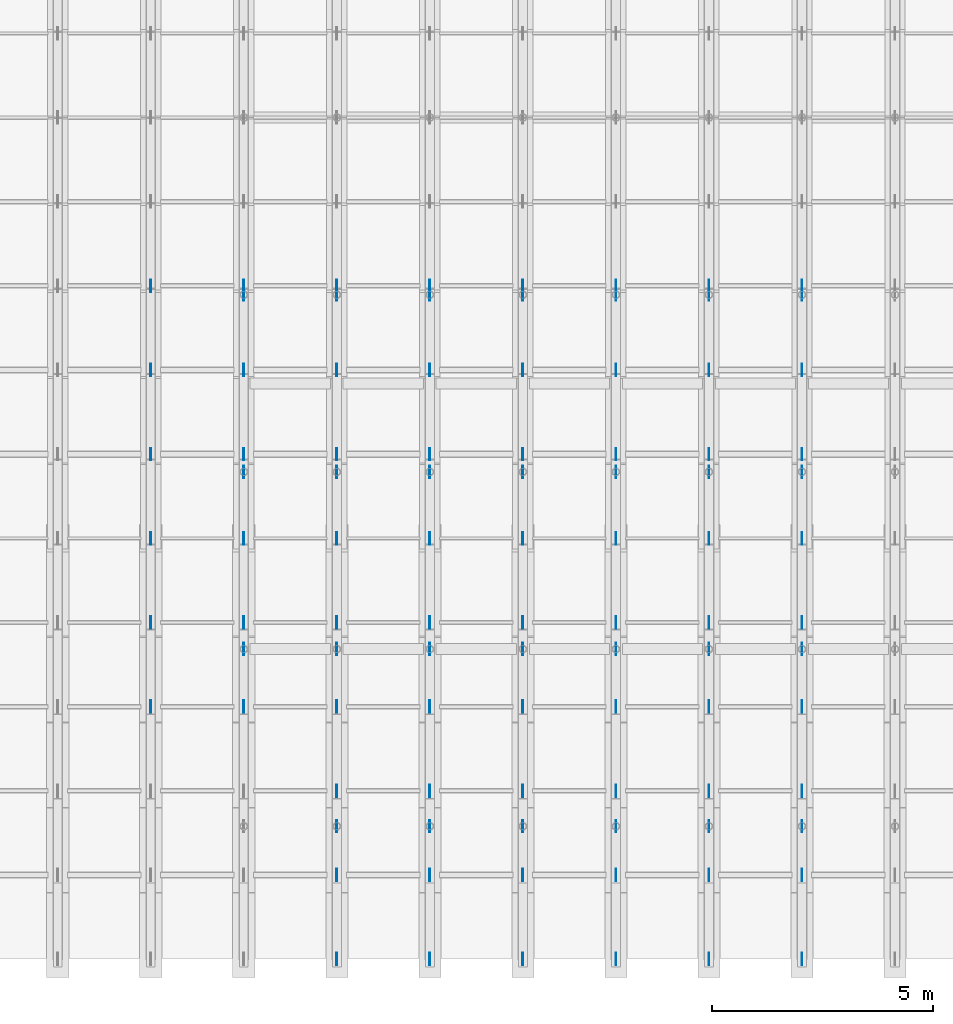
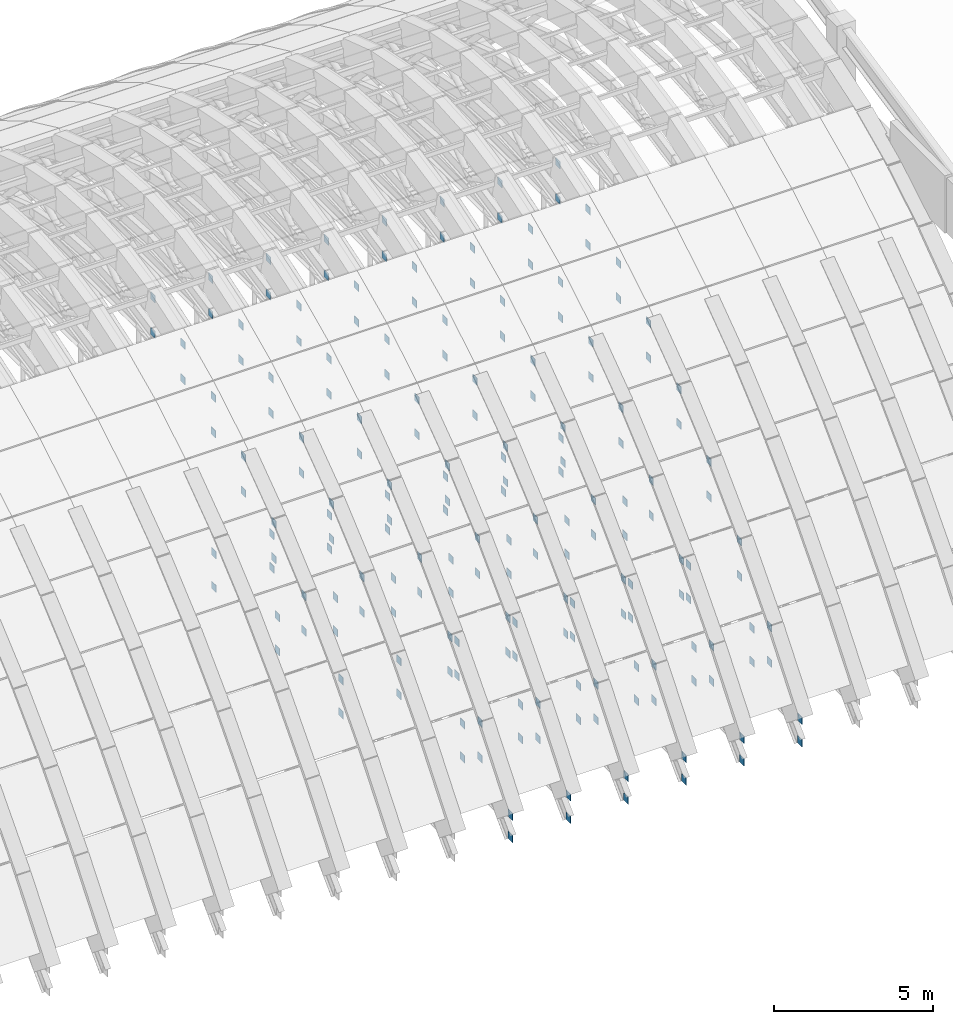
# One storey, part 59 of 67: 186 plates.
"""IFC4 building model written with IfcOpenShell, lengths in metres."""

from ifc_helpers import new_model, si_unit, direction, frame, origin, origin_2d, place, context, subcontext, project, spatial, rectangle, extrude, material, layer, layer_set, type_object, element, save


model = new_model("IFC4")

# Units and contexts
model_context = context("Model", 3, precision=1e-05, world=origin(), true_north=direction((0.0, 1.0)))
body_context = subcontext(model_context, "Body", "Model", "MODEL_VIEW")
ifc_project = project(units=[si_unit("LENGTHUNIT", "METRE"), si_unit("AREAUNIT", "SQUARE_METRE"), si_unit("VOLUMEUNIT", "CUBIC_METRE"), si_unit("PLANEANGLEUNIT", "RADIAN"), si_unit("MASSUNIT", "GRAM", prefix="KILO")], contexts=[model_context])

# Site, building, storey
site_placement = place(None, origin())
site = spatial("IfcSite", under=ifc_project, at=site_placement, CompositionType="ELEMENT")
building_placement = place(site_placement, origin())
building = spatial("IfcBuilding", under=site, at=building_placement, Name="Shengluoqiao Park Theatre", CompositionType="ELEMENT")
storey_placement = place(building_placement, frame((0.0, 0.0, 28.60009765625)))
storey = spatial("IfcBuildingStorey", under=building, at=storey_placement, Name="Roof", CompositionType="ELEMENT", Elevation=28.60009765625)

# Plates
ifc_material = material(Name="Steel Q355", Category="steel")
ifc_layer = layer(ifc_material, 0.013916015625, Name="Steel Q355")
ifc_layer_set = layer_set([ifc_layer], Name="Steel Q355")
plate_type = type_object("IfcPlateType", Name="STR-PLT-EC-280", PredefinedType="SHEET", material=ifc_layer_set)
for number, where, z_axis, x_axis, name in (
    (1, (61.199951171875, 81.699951171875, -3.73388671875), (0.0, 0.0, 1.0), (1.0, 0.0, 0.0), "Arch Truss Node Gusset Plate R09-U03"),
    (2, (61.199951171875, 81.699951171875, -5.09423828125), (0.0, 0.0, 1.0), (1.0, 0.0, 0.0), "Arch Truss Node Gusset Plate R09-L03"),
    (3, (61.199951171875, 83.60009765625, -2.09619140625), (0.0, 0.0, 1.0), (1.0, 0.0, 0.0), "Arch Truss Node Gusset Plate R09-U04"),
    (4, (61.199951171875, 83.60009765625, -3.4560546875), (0.0, 0.0, 1.0), (1.0, 0.0, 0.0), "Arch Truss Node Gusset Plate R09-L04"),
    (5, (61.199951171875, 85.5, -0.7099609375), (0.0, 0.0, 1.0), (1.0, 0.0, 0.0), "Arch Truss Node Gusset Plate R09-U05"),
    (6, (61.199951171875, 85.5, -2.0703125), (0.0, 0.0, 1.0), (1.0, 0.0, 0.0), "Arch Truss Node Gusset Plate R09-L05"),
    (7, (61.199951171875, 87.39990234375, 0.423828125), (0.0, 0.0, 1.0), (1.0, 0.0, 0.0), "Arch Truss Node Gusset Plate R09-U06"),
    (8, (61.199951171875, 87.39990234375, -0.93603515625), (0.0, 0.0, 1.0), (1.0, 0.0, 0.0), "Arch Truss Node Gusset Plate R09-L06"),
    (9, (61.199951171875, 89.300048828125, 1.3056640625), (0.0, 0.0, 1.0), (1.0, 0.0, 0.0), "Arch Truss Node Gusset Plate R09-U07"),
    (10, (61.199951171875, 89.300048828125, -0.05419921875), (0.0, 0.0, 1.0), (1.0, 0.0, 0.0), "Arch Truss Node Gusset Plate R09-L07"),
    (11, (61.199951171875, 91.199951171875, 1.93603515625), (0.0, 0.0, 1.0), (1.0, 0.0, 0.0), "Arch Truss Node Gusset Plate R09-U08"),
    (12, (61.199951171875, 91.199951171875, 0.57568359375), (0.0, 0.0, 1.0), (1.0, 0.0, 0.0), "Arch Truss Node Gusset Plate R09-L08"),
    (13, (63.300048828125, 81.699951171875, -3.73388671875), (0.0, 0.0, 1.0), (1.0, 0.0, 0.0), "Arch Truss Node Gusset Plate R10-U03"),
    (14, (63.300048828125, 81.699951171875, -5.09423828125), (0.0, 0.0, 1.0), (1.0, 0.0, 0.0), "Arch Truss Node Gusset Plate R10-L03"),
    (15, (63.300048828125, 83.60009765625, -2.09619140625), (0.0, 0.0, 1.0), (1.0, 0.0, 0.0), "Arch Truss Node Gusset Plate R10-U04"),
    (16, (63.300048828125, 83.60009765625, -3.4560546875), (0.0, 0.0, 1.0), (1.0, 0.0, 0.0), "Arch Truss Node Gusset Plate R10-L04"),
    (17, (63.300048828125, 85.5, -0.7099609375), (0.0, 0.0, 1.0), (1.0, 0.0, 0.0), "Arch Truss Node Gusset Plate R10-U05"),
    (18, (63.300048828125, 85.5, -2.0703125), (0.0, 0.0, 1.0), (1.0, 0.0, 0.0), "Arch Truss Node Gusset Plate R10-L05"),
    (19, (63.300048828125, 87.39990234375, 0.423828125), (0.0, 0.0, 1.0), (1.0, 0.0, 0.0), "Arch Truss Node Gusset Plate R10-U06"),
    (20, (63.300048828125, 87.39990234375, -0.93603515625), (0.0, 0.0, 1.0), (1.0, 0.0, 0.0), "Arch Truss Node Gusset Plate R10-L06"),
    (21, (63.300048828125, 89.300048828125, 1.3056640625), (0.0, 0.0, 1.0), (1.0, 0.0, 0.0), "Arch Truss Node Gusset Plate R10-U07"),
    (22, (63.300048828125, 89.300048828125, -0.05419921875), (0.0, 0.0, 1.0), (1.0, 0.0, 0.0), "Arch Truss Node Gusset Plate R10-L07"),
    (23, (63.300048828125, 91.199951171875, 1.93603515625), (0.0, 0.0, 1.0), (1.0, 0.0, 0.0), "Arch Truss Node Gusset Plate R10-U08"),
    (24, (63.300048828125, 91.199951171875, 0.57568359375), (0.0, 0.0, 1.0), (1.0, 0.0, 0.0), "Arch Truss Node Gusset Plate R10-L08"),
    (25, (65.39990234375, 76.0, -10.16015625), (0.0, 0.0, 1.0), (1.0, 0.0, 0.0), "Arch Truss Node Gusset Plate R11-U00"),
    (26, (65.39990234375, 76.0, -11.02001953125), (0.0, 0.0, 1.0), (1.0, 0.0, 0.0), "Arch Truss Node Gusset Plate R11-L00"),
    (27, (65.39990234375, 77.89990234375, -7.76611328125), (0.0, 0.0, 1.0), (1.0, 0.0, 0.0), "Arch Truss Node Gusset Plate R11-U01"),
    (28, (65.39990234375, 77.89990234375, -9.1259765625), (0.0, 0.0, 1.0), (1.0, 0.0, 0.0), "Arch Truss Node Gusset Plate R11-L01"),
    (29, (65.39990234375, 79.800048828125, -5.6240234375), (0.0, 0.0, 1.0), (1.0, 0.0, 0.0), "Arch Truss Node Gusset Plate R11-U02"),
    (30, (65.39990234375, 79.800048828125, -6.98388671875), (0.0, 0.0, 1.0), (1.0, 0.0, 0.0), "Arch Truss Node Gusset Plate R11-L02"),
    (31, (65.39990234375, 81.699951171875, -3.73388671875), (0.0, 0.0, 1.0), (1.0, 0.0, 0.0), "Arch Truss Node Gusset Plate R11-U03"),
    (32, (65.39990234375, 81.699951171875, -5.09423828125), (0.0, 0.0, 1.0), (1.0, 0.0, 0.0), "Arch Truss Node Gusset Plate R11-L03"),
    (33, (65.39990234375, 83.60009765625, -2.09619140625), (0.0, 0.0, 1.0), (1.0, 0.0, 0.0), "Arch Truss Node Gusset Plate R11-U04"),
    (34, (65.39990234375, 83.60009765625, -3.4560546875), (0.0, 0.0, 1.0), (1.0, 0.0, 0.0), "Arch Truss Node Gusset Plate R11-L04"),
    (35, (65.39990234375, 85.5, -0.7099609375), (0.0, 0.0, 1.0), (1.0, 0.0, 0.0), "Arch Truss Node Gusset Plate R11-U05"),
    (36, (65.39990234375, 85.5, -2.0703125), (0.0, 0.0, 1.0), (1.0, 0.0, 0.0), "Arch Truss Node Gusset Plate R11-L05"),
    (37, (65.39990234375, 87.39990234375, 0.423828125), (0.0, 0.0, 1.0), (1.0, 0.0, 0.0), "Arch Truss Node Gusset Plate R11-U06"),
    (38, (65.39990234375, 87.39990234375, -0.93603515625), (0.0, 0.0, 1.0), (1.0, 0.0, 0.0), "Arch Truss Node Gusset Plate R11-L06"),
    (39, (65.39990234375, 89.300048828125, 1.3056640625), (0.0, 0.0, 1.0), (1.0, 0.0, 0.0), "Arch Truss Node Gusset Plate R11-U07"),
    (40, (65.39990234375, 89.300048828125, -0.05419921875), (0.0, 0.0, 1.0), (1.0, 0.0, 0.0), "Arch Truss Node Gusset Plate R11-L07"),
    (41, (65.39990234375, 91.199951171875, 1.93603515625), (0.0, 0.0, 1.0), (1.0, 0.0, 0.0), "Arch Truss Node Gusset Plate R11-U08"),
    (42, (65.39990234375, 91.199951171875, 0.57568359375), (0.0, 0.0, 1.0), (1.0, 0.0, 0.0), "Arch Truss Node Gusset Plate R11-L08"),
    (43, (67.5, 76.0, -10.16015625), (0.0, 0.0, 1.0), (1.0, 0.0, 0.0), "Arch Truss Node Gusset Plate R12-U00"),
    (44, (67.5, 76.0, -11.02001953125), (0.0, 0.0, 1.0), (1.0, 0.0, 0.0), "Arch Truss Node Gusset Plate R12-L00"),
    (45, (67.5, 77.89990234375, -7.76611328125), (0.0, 0.0, 1.0), (1.0, 0.0, 0.0), "Arch Truss Node Gusset Plate R12-U01"),
    (46, (67.5, 77.89990234375, -9.1259765625), (0.0, 0.0, 1.0), (1.0, 0.0, 0.0), "Arch Truss Node Gusset Plate R12-L01"),
    (47, (67.5, 79.800048828125, -5.6240234375), (0.0, 0.0, 1.0), (1.0, 0.0, 0.0), "Arch Truss Node Gusset Plate R12-U02"),
    (48, (67.5, 79.800048828125, -6.98388671875), (0.0, 0.0, 1.0), (1.0, 0.0, 0.0), "Arch Truss Node Gusset Plate R12-L02"),
    (49, (67.5, 81.699951171875, -3.73388671875), (0.0, 0.0, 1.0), (1.0, 0.0, 0.0), "Arch Truss Node Gusset Plate R12-U03"),
    (50, (67.5, 81.699951171875, -5.09423828125), (0.0, 0.0, 1.0), (1.0, 0.0, 0.0), "Arch Truss Node Gusset Plate R12-L03"),
    (51, (67.5, 83.60009765625, -2.09619140625), (0.0, 0.0, 1.0), (1.0, 0.0, 0.0), "Arch Truss Node Gusset Plate R12-U04"),
    (52, (67.5, 83.60009765625, -3.4560546875), (0.0, 0.0, 1.0), (1.0, 0.0, 0.0), "Arch Truss Node Gusset Plate R12-L04"),
    (53, (67.5, 85.5, -0.7099609375), (0.0, 0.0, 1.0), (1.0, 0.0, 0.0), "Arch Truss Node Gusset Plate R12-U05"),
    (54, (67.5, 85.5, -2.0703125), (0.0, 0.0, 1.0), (1.0, 0.0, 0.0), "Arch Truss Node Gusset Plate R12-L05"),
    (55, (67.5, 87.39990234375, 0.423828125), (0.0, 0.0, 1.0), (1.0, 0.0, 0.0), "Arch Truss Node Gusset Plate R12-U06"),
    (56, (67.5, 87.39990234375, -0.93603515625), (0.0, 0.0, 1.0), (1.0, 0.0, 0.0), "Arch Truss Node Gusset Plate R12-L06"),
    (57, (67.5, 89.300048828125, 1.3056640625), (0.0, 0.0, 1.0), (1.0, 0.0, 0.0), "Arch Truss Node Gusset Plate R12-U07"),
    (58, (67.5, 89.300048828125, -0.05419921875), (0.0, 0.0, 1.0), (1.0, 0.0, 0.0), "Arch Truss Node Gusset Plate R12-L07"),
    (59, (67.5, 91.199951171875, 1.93603515625), (0.0, 0.0, 1.0), (1.0, 0.0, 0.0), "Arch Truss Node Gusset Plate R12-U08"),
    (60, (67.5, 91.199951171875, 0.57568359375), (0.0, 0.0, 1.0), (1.0, 0.0, 0.0), "Arch Truss Node Gusset Plate R12-L08"),
    (61, (69.60009765625, 76.0, -10.16015625), (0.0, 0.0, 1.0), (1.0, 0.0, 0.0), "Arch Truss Node Gusset Plate R13-U00"),
    (62, (69.60009765625, 76.0, -11.02001953125), (0.0, 0.0, 1.0), (1.0, 0.0, 0.0), "Arch Truss Node Gusset Plate R13-L00"),
    (63, (69.60009765625, 77.89990234375, -7.76611328125), (0.0, 0.0, 1.0), (1.0, 0.0, 0.0), "Arch Truss Node Gusset Plate R13-U01"),
    (64, (69.60009765625, 77.89990234375, -9.1259765625), (0.0, 0.0, 1.0), (1.0, 0.0, 0.0), "Arch Truss Node Gusset Plate R13-L01"),
    (65, (69.60009765625, 79.800048828125, -5.6240234375), (0.0, 0.0, 1.0), (1.0, 0.0, 0.0), "Arch Truss Node Gusset Plate R13-U02"),
    (66, (69.60009765625, 79.800048828125, -6.98388671875), (0.0, 0.0, 1.0), (1.0, 0.0, 0.0), "Arch Truss Node Gusset Plate R13-L02"),
    (67, (69.60009765625, 81.699951171875, -3.73388671875), (0.0, 0.0, 1.0), (1.0, 0.0, 0.0), "Arch Truss Node Gusset Plate R13-U03"),
    (68, (69.60009765625, 81.699951171875, -5.09423828125), (0.0, 0.0, 1.0), (1.0, 0.0, 0.0), "Arch Truss Node Gusset Plate R13-L03"),
    (69, (69.60009765625, 83.60009765625, -2.09619140625), (0.0, 0.0, 1.0), (1.0, 0.0, 0.0), "Arch Truss Node Gusset Plate R13-U04"),
    (70, (69.60009765625, 83.60009765625, -3.4560546875), (0.0, 0.0, 1.0), (1.0, 0.0, 0.0), "Arch Truss Node Gusset Plate R13-L04"),
    (71, (69.60009765625, 85.5, -0.7099609375), (0.0, 0.0, 1.0), (1.0, 0.0, 0.0), "Arch Truss Node Gusset Plate R13-U05"),
    (72, (69.60009765625, 85.5, -2.0703125), (0.0, 0.0, 1.0), (1.0, 0.0, 0.0), "Arch Truss Node Gusset Plate R13-L05"),
    (73, (69.60009765625, 87.39990234375, 0.423828125), (0.0, 0.0, 1.0), (1.0, 0.0, 0.0), "Arch Truss Node Gusset Plate R13-U06"),
    (74, (69.60009765625, 87.39990234375, -0.93603515625), (0.0, 0.0, 1.0), (1.0, 0.0, 0.0), "Arch Truss Node Gusset Plate R13-L06"),
    (75, (69.60009765625, 89.300048828125, 1.3056640625), (0.0, 0.0, 1.0), (1.0, 0.0, 0.0), "Arch Truss Node Gusset Plate R13-U07"),
    (76, (69.60009765625, 89.300048828125, -0.05419921875), (0.0, 0.0, 1.0), (1.0, 0.0, 0.0), "Arch Truss Node Gusset Plate R13-L07"),
    (77, (69.60009765625, 91.199951171875, 1.93603515625), (0.0, 0.0, 1.0), (1.0, 0.0, 0.0), "Arch Truss Node Gusset Plate R13-U08"),
    (78, (69.60009765625, 91.199951171875, 0.57568359375), (0.0, 0.0, 1.0), (1.0, 0.0, 0.0), "Arch Truss Node Gusset Plate R13-L08"),
    (79, (71.699951171875, 76.0, -10.16015625), (0.0, 0.0, 1.0), (1.0, 0.0, 0.0), "Arch Truss Node Gusset Plate R14-U00"),
    (80, (71.699951171875, 76.0, -11.02001953125), (0.0, 0.0, 1.0), (1.0, 0.0, 0.0), "Arch Truss Node Gusset Plate R14-L00"),
    (81, (71.699951171875, 77.89990234375, -7.76611328125), (0.0, 0.0, 1.0), (1.0, 0.0, 0.0), "Arch Truss Node Gusset Plate R14-U01"),
    (82, (71.699951171875, 77.89990234375, -9.1259765625), (0.0, 0.0, 1.0), (1.0, 0.0, 0.0), "Arch Truss Node Gusset Plate R14-L01"),
    (83, (71.699951171875, 79.800048828125, -5.6240234375), (0.0, 0.0, 1.0), (1.0, 0.0, 0.0), "Arch Truss Node Gusset Plate R14-U02"),
    (84, (71.699951171875, 79.800048828125, -6.98388671875), (0.0, 0.0, 1.0), (1.0, 0.0, 0.0), "Arch Truss Node Gusset Plate R14-L02"),
    (85, (71.699951171875, 81.699951171875, -3.73388671875), (0.0, 0.0, 1.0), (1.0, 0.0, 0.0), "Arch Truss Node Gusset Plate R14-U03"),
    (86, (71.699951171875, 81.699951171875, -5.09423828125), (0.0, 0.0, 1.0), (1.0, 0.0, 0.0), "Arch Truss Node Gusset Plate R14-L03"),
    (87, (71.699951171875, 83.60009765625, -2.09619140625), (0.0, 0.0, 1.0), (1.0, 0.0, 0.0), "Arch Truss Node Gusset Plate R14-U04"),
    (88, (71.699951171875, 83.60009765625, -3.4560546875), (0.0, 0.0, 1.0), (1.0, 0.0, 0.0), "Arch Truss Node Gusset Plate R14-L04"),
    (89, (71.699951171875, 85.5, -0.7099609375), (0.0, 0.0, 1.0), (1.0, 0.0, 0.0), "Arch Truss Node Gusset Plate R14-U05"),
    (90, (71.699951171875, 85.5, -2.0703125), (0.0, 0.0, 1.0), (1.0, 0.0, 0.0), "Arch Truss Node Gusset Plate R14-L05"),
    (91, (71.699951171875, 87.39990234375, 0.423828125), (0.0, 0.0, 1.0), (1.0, 0.0, 0.0), "Arch Truss Node Gusset Plate R14-U06"),
    (92, (71.699951171875, 87.39990234375, -0.93603515625), (0.0, 0.0, 1.0), (1.0, 0.0, 0.0), "Arch Truss Node Gusset Plate R14-L06"),
    (93, (71.699951171875, 89.300048828125, 1.3056640625), (0.0, 0.0, 1.0), (1.0, 0.0, 0.0), "Arch Truss Node Gusset Plate R14-U07"),
    (94, (71.699951171875, 89.300048828125, -0.05419921875), (0.0, 0.0, 1.0), (1.0, 0.0, 0.0), "Arch Truss Node Gusset Plate R14-L07"),
    (95, (71.699951171875, 91.199951171875, 1.93603515625), (0.0, 0.0, 1.0), (1.0, 0.0, 0.0), "Arch Truss Node Gusset Plate R14-U08"),
    (96, (71.699951171875, 91.199951171875, 0.57568359375), (0.0, 0.0, 1.0), (1.0, 0.0, 0.0), "Arch Truss Node Gusset Plate R14-L08"),
    (97, (73.800048828125, 76.0, -10.16015625), (0.0, 0.0, 1.0), (1.0, 0.0, 0.0), "Arch Truss Node Gusset Plate R15-U00"),
    (98, (73.800048828125, 76.0, -11.02001953125), (0.0, 0.0, 1.0), (1.0, 0.0, 0.0), "Arch Truss Node Gusset Plate R15-L00"),
    (99, (73.800048828125, 77.89990234375, -7.76611328125), (0.0, 0.0, 1.0), (1.0, 0.0, 0.0), "Arch Truss Node Gusset Plate R15-U01"),
    (100, (73.800048828125, 77.89990234375, -9.1259765625), (0.0, 0.0, 1.0), (1.0, 0.0, 0.0), "Arch Truss Node Gusset Plate R15-L01"),
    (101, (73.800048828125, 79.800048828125, -5.6240234375), (0.0, 0.0, 1.0), (1.0, 0.0, 0.0), "Arch Truss Node Gusset Plate R15-U02"),
    (102, (73.800048828125, 79.800048828125, -6.98388671875), (0.0, 0.0, 1.0), (1.0, 0.0, 0.0), "Arch Truss Node Gusset Plate R15-L02"),
    (103, (73.800048828125, 81.699951171875, -3.73388671875), (0.0, 0.0, 1.0), (1.0, 0.0, 0.0), "Arch Truss Node Gusset Plate R15-U03"),
    (104, (73.800048828125, 81.699951171875, -5.09423828125), (0.0, 0.0, 1.0), (1.0, 0.0, 0.0), "Arch Truss Node Gusset Plate R15-L03"),
    (105, (73.800048828125, 83.60009765625, -2.09619140625), (0.0, 0.0, 1.0), (1.0, 0.0, 0.0), "Arch Truss Node Gusset Plate R15-U04"),
    (106, (73.800048828125, 83.60009765625, -3.4560546875), (0.0, 0.0, 1.0), (1.0, 0.0, 0.0), "Arch Truss Node Gusset Plate R15-L04"),
    (107, (73.800048828125, 85.5, -0.7099609375), (0.0, 0.0, 1.0), (1.0, 0.0, 0.0), "Arch Truss Node Gusset Plate R15-U05"),
    (108, (73.800048828125, 85.5, -2.0703125), (0.0, 0.0, 1.0), (1.0, 0.0, 0.0), "Arch Truss Node Gusset Plate R15-L05"),
    (109, (73.800048828125, 87.39990234375, 0.423828125), (0.0, 0.0, 1.0), (1.0, 0.0, 0.0), "Arch Truss Node Gusset Plate R15-U06"),
    (110, (73.800048828125, 87.39990234375, -0.93603515625), (0.0, 0.0, 1.0), (1.0, 0.0, 0.0), "Arch Truss Node Gusset Plate R15-L06"),
    (111, (73.800048828125, 89.300048828125, 1.3056640625), (0.0, 0.0, 1.0), (1.0, 0.0, 0.0), "Arch Truss Node Gusset Plate R15-U07"),
    (112, (73.800048828125, 89.300048828125, -0.05419921875), (0.0, 0.0, 1.0), (1.0, 0.0, 0.0), "Arch Truss Node Gusset Plate R15-L07"),
    (113, (73.800048828125, 91.199951171875, 1.93603515625), (0.0, 0.0, 1.0), (1.0, 0.0, 0.0), "Arch Truss Node Gusset Plate R15-U08"),
    (114, (73.800048828125, 91.199951171875, 0.57568359375), (0.0, 0.0, 1.0), (1.0, 0.0, 0.0), "Arch Truss Node Gusset Plate R15-L08"),
    (115, (75.89990234375, 76.0, -10.16015625), (0.0, 0.0, 1.0), (1.0, 0.0, 0.0), "Arch Truss Node Gusset Plate R16-U00"),
    (116, (75.89990234375, 76.0, -11.02001953125), (0.0, 0.0, 1.0), (1.0, 0.0, 0.0), "Arch Truss Node Gusset Plate R16-L00"),
    (117, (75.89990234375, 77.89990234375, -7.76611328125), (0.0, 0.0, 1.0), (1.0, 0.0, 0.0), "Arch Truss Node Gusset Plate R16-U01"),
    (118, (75.89990234375, 77.89990234375, -9.1259765625), (0.0, 0.0, 1.0), (1.0, 0.0, 0.0), "Arch Truss Node Gusset Plate R16-L01"),
    (119, (75.89990234375, 79.800048828125, -5.6240234375), (0.0, 0.0, 1.0), (1.0, 0.0, 0.0), "Arch Truss Node Gusset Plate R16-U02"),
    (120, (75.89990234375, 79.800048828125, -6.98388671875), (0.0, 0.0, 1.0), (1.0, 0.0, 0.0), "Arch Truss Node Gusset Plate R16-L02"),
    (121, (75.89990234375, 81.699951171875, -3.73388671875), (0.0, 0.0, 1.0), (1.0, 0.0, 0.0), "Arch Truss Node Gusset Plate R16-U03"),
    (122, (75.89990234375, 81.699951171875, -5.09423828125), (0.0, 0.0, 1.0), (1.0, 0.0, 0.0), "Arch Truss Node Gusset Plate R16-L03"),
    (123, (75.89990234375, 83.60009765625, -2.09619140625), (0.0, 0.0, 1.0), (1.0, 0.0, 0.0), "Arch Truss Node Gusset Plate R16-U04"),
    (124, (75.89990234375, 83.60009765625, -3.4560546875), (0.0, 0.0, 1.0), (1.0, 0.0, 0.0), "Arch Truss Node Gusset Plate R16-L04"),
    (125, (75.89990234375, 85.5, -0.7099609375), (0.0, 0.0, 1.0), (1.0, 0.0, 0.0), "Arch Truss Node Gusset Plate R16-U05"),
    (126, (75.89990234375, 85.5, -2.0703125), (0.0, 0.0, 1.0), (1.0, 0.0, 0.0), "Arch Truss Node Gusset Plate R16-L05"),
    (127, (75.89990234375, 87.39990234375, 0.423828125), (0.0, 0.0, 1.0), (1.0, 0.0, 0.0), "Arch Truss Node Gusset Plate R16-U06"),
    (128, (75.89990234375, 87.39990234375, -0.93603515625), (0.0, 0.0, 1.0), (1.0, 0.0, 0.0), "Arch Truss Node Gusset Plate R16-L06"),
    (129, (75.89990234375, 89.300048828125, 1.3056640625), (0.0, 0.0, 1.0), (1.0, 0.0, 0.0), "Arch Truss Node Gusset Plate R16-U07"),
    (130, (75.89990234375, 89.300048828125, -0.05419921875), (0.0, 0.0, 1.0), (1.0, 0.0, 0.0), "Arch Truss Node Gusset Plate R16-L07"),
    (131, (75.89990234375, 91.199951171875, 1.93603515625), (0.0, 0.0, 1.0), (1.0, 0.0, 0.0), "Arch Truss Node Gusset Plate R16-U08"),
    (132, (75.89990234375, 91.199951171875, 0.57568359375), (0.0, 0.0, 1.0), (1.0, 0.0, 0.0), "Arch Truss Node Gusset Plate R16-L08"),
    (133, (63.300048828125, 83.0, -9.7900390625), (0.0, 0.0, 1.0), (1.0, 0.0, 0.0), "Tie Truss Node Gusset Plate R10-B01"),
    (134, (63.300048828125, 83.0, -8.490234375), (0.0, 0.0, 1.0), (1.0, 0.0, 0.0), "Tie Truss Node Gusset Plate R10-T01"),
    (135, (63.300048828125, 87.0, -9.7900390625), (0.0, 0.0, 1.0), (1.0, 0.0, 0.0), "Tie Truss Node Gusset Plate R10-B02"),
    (136, (63.300048828125, 87.0, -8.490234375), (0.0, 0.0, 1.0), (1.0, 0.0, 0.0), "Tie Truss Node Gusset Plate R10-T02"),
    (137, (63.300048828125, 91.0, -9.7900390625), (0.0, 0.0, 1.0), (1.0, 0.0, 0.0), "Tie Truss Node Gusset Plate R10-B03"),
    (138, (63.300048828125, 91.0, -8.490234375), (0.0, 0.0, 1.0), (1.0, 0.0, 0.0), "Tie Truss Node Gusset Plate R10-T03"),
    (139, (65.39990234375, 79.0, -9.7900390625), (0.0, 0.0, 1.0), (1.0, 0.0, 0.0), "Tie Truss Node Gusset Plate R11-B00"),
    (140, (65.39990234375, 79.0, -8.490234375), (0.0, 0.0, 1.0), (1.0, 0.0, 0.0), "Tie Truss Node Gusset Plate R11-T00"),
    (141, (65.39990234375, 83.0, -9.7900390625), (0.0, 0.0, 1.0), (1.0, 0.0, 0.0), "Tie Truss Node Gusset Plate R11-B01"),
    (142, (65.39990234375, 83.0, -8.490234375), (0.0, 0.0, 1.0), (1.0, 0.0, 0.0), "Tie Truss Node Gusset Plate R11-T01"),
    (143, (65.39990234375, 87.0, -9.7900390625), (0.0, 0.0, 1.0), (1.0, 0.0, 0.0), "Tie Truss Node Gusset Plate R11-B02"),
    (144, (65.39990234375, 87.0, -8.490234375), (0.0, 0.0, 1.0), (1.0, 0.0, 0.0), "Tie Truss Node Gusset Plate R11-T02"),
    (145, (65.39990234375, 91.0, -9.7900390625), (0.0, 0.0, 1.0), (1.0, 0.0, 0.0), "Tie Truss Node Gusset Plate R11-B03"),
    (146, (65.39990234375, 91.0, -8.490234375), (0.0, 0.0, 1.0), (1.0, 0.0, 0.0), "Tie Truss Node Gusset Plate R11-T03"),
    (147, (67.5, 79.0, -9.7900390625), (0.0, 0.0, 1.0), (1.0, 0.0, 0.0), "Tie Truss Node Gusset Plate R12-B00"),
    (148, (67.5, 79.0, -8.490234375), (0.0, 0.0, 1.0), (1.0, 0.0, 0.0), "Tie Truss Node Gusset Plate R12-T00"),
    (149, (67.5, 83.0, -9.7900390625), (0.0, 0.0, 1.0), (1.0, 0.0, 0.0), "Tie Truss Node Gusset Plate R12-B01"),
    (150, (67.5, 83.0, -8.490234375), (0.0, 0.0, 1.0), (1.0, 0.0, 0.0), "Tie Truss Node Gusset Plate R12-T01"),
    (151, (67.5, 87.0, -9.7900390625), (0.0, 0.0, 1.0), (1.0, 0.0, 0.0), "Tie Truss Node Gusset Plate R12-B02"),
    (152, (67.5, 87.0, -8.490234375), (0.0, 0.0, 1.0), (1.0, 0.0, 0.0), "Tie Truss Node Gusset Plate R12-T02"),
    (153, (67.5, 91.0, -9.7900390625), (0.0, 0.0, 1.0), (1.0, 0.0, 0.0), "Tie Truss Node Gusset Plate R12-B03"),
    (154, (67.5, 91.0, -8.490234375), (0.0, 0.0, 1.0), (1.0, 0.0, 0.0), "Tie Truss Node Gusset Plate R12-T03"),
    (155, (69.60009765625, 79.0, -9.7900390625), (0.0, 0.0, 1.0), (1.0, 0.0, 0.0), "Tie Truss Node Gusset Plate R13-B00"),
    (156, (69.60009765625, 79.0, -8.490234375), (0.0, 0.0, 1.0), (1.0, 0.0, 0.0), "Tie Truss Node Gusset Plate R13-T00"),
    (157, (69.60009765625, 83.0, -9.7900390625), (0.0, 0.0, 1.0), (1.0, 0.0, 0.0), "Tie Truss Node Gusset Plate R13-B01"),
    (158, (69.60009765625, 83.0, -8.490234375), (0.0, 0.0, 1.0), (1.0, 0.0, 0.0), "Tie Truss Node Gusset Plate R13-T01"),
    (159, (69.60009765625, 87.0, -9.7900390625), (0.0, 0.0, 1.0), (1.0, 0.0, 0.0), "Tie Truss Node Gusset Plate R13-B02"),
    (160, (69.60009765625, 87.0, -8.490234375), (0.0, 0.0, 1.0), (1.0, 0.0, 0.0), "Tie Truss Node Gusset Plate R13-T02"),
    (161, (69.60009765625, 91.0, -9.7900390625), (0.0, 0.0, 1.0), (1.0, 0.0, 0.0), "Tie Truss Node Gusset Plate R13-B03"),
    (162, (69.60009765625, 91.0, -8.490234375), (0.0, 0.0, 1.0), (1.0, 0.0, 0.0), "Tie Truss Node Gusset Plate R13-T03"),
    (163, (71.699951171875, 79.0, -9.7900390625), (0.0, 0.0, 1.0), (1.0, 0.0, 0.0), "Tie Truss Node Gusset Plate R14-B00"),
    (164, (71.699951171875, 79.0, -8.490234375), (0.0, 0.0, 1.0), (1.0, 0.0, 0.0), "Tie Truss Node Gusset Plate R14-T00"),
    (165, (71.699951171875, 83.0, -9.7900390625), (0.0, 0.0, 1.0), (1.0, 0.0, 0.0), "Tie Truss Node Gusset Plate R14-B01"),
    (166, (71.699951171875, 83.0, -8.490234375), (0.0, 0.0, 1.0), (1.0, 0.0, 0.0), "Tie Truss Node Gusset Plate R14-T01"),
    (167, (71.699951171875, 87.0, -9.7900390625), (0.0, 0.0, 1.0), (1.0, 0.0, 0.0), "Tie Truss Node Gusset Plate R14-B02"),
    (168, (71.699951171875, 87.0, -8.490234375), (0.0, 0.0, 1.0), (1.0, 0.0, 0.0), "Tie Truss Node Gusset Plate R14-T02"),
    (169, (71.699951171875, 91.0, -9.7900390625), (0.0, 0.0, 1.0), (1.0, 0.0, 0.0), "Tie Truss Node Gusset Plate R14-B03"),
    (170, (71.699951171875, 91.0, -8.490234375), (0.0, 0.0, 1.0), (1.0, 0.0, 0.0), "Tie Truss Node Gusset Plate R14-T03"),
    (171, (73.800048828125, 79.0, -9.7900390625), (0.0, 0.0, 1.0), (1.0, 0.0, 0.0), "Tie Truss Node Gusset Plate R15-B00"),
    (172, (73.800048828125, 79.0, -8.490234375), (0.0, 0.0, 1.0), (1.0, 0.0, 0.0), "Tie Truss Node Gusset Plate R15-T00"),
    (173, (73.800048828125, 83.0, -9.7900390625), (0.0, 0.0, 1.0), (1.0, 0.0, 0.0), "Tie Truss Node Gusset Plate R15-B01"),
    (174, (73.800048828125, 83.0, -8.490234375), (0.0, 0.0, 1.0), (1.0, 0.0, 0.0), "Tie Truss Node Gusset Plate R15-T01"),
    (175, (73.800048828125, 87.0, -9.7900390625), (0.0, 0.0, 1.0), (1.0, 0.0, 0.0), "Tie Truss Node Gusset Plate R15-B02"),
    (176, (73.800048828125, 87.0, -8.490234375), (0.0, 0.0, 1.0), (1.0, 0.0, 0.0), "Tie Truss Node Gusset Plate R15-T02"),
    (177, (73.800048828125, 91.0, -9.7900390625), (0.0, 0.0, 1.0), (1.0, 0.0, 0.0), "Tie Truss Node Gusset Plate R15-B03"),
    (178, (73.800048828125, 91.0, -8.490234375), (0.0, 0.0, 1.0), (1.0, 0.0, 0.0), "Tie Truss Node Gusset Plate R15-T03"),
    (179, (75.89990234375, 79.0, -9.7900390625), (0.0, 0.0, 1.0), (1.0, 0.0, 0.0), "Tie Truss Node Gusset Plate R16-B00"),
    (180, (75.89990234375, 79.0, -8.490234375), (0.0, 0.0, 1.0), (1.0, 0.0, 0.0), "Tie Truss Node Gusset Plate R16-T00"),
    (181, (75.89990234375, 83.0, -9.7900390625), (0.0, 0.0, 1.0), (1.0, 0.0, 0.0), "Tie Truss Node Gusset Plate R16-B01"),
    (182, (75.89990234375, 83.0, -8.490234375), (0.0, 0.0, 1.0), (1.0, 0.0, 0.0), "Tie Truss Node Gusset Plate R16-T01"),
    (183, (75.89990234375, 87.0, -9.7900390625), (0.0, 0.0, 1.0), (1.0, 0.0, 0.0), "Tie Truss Node Gusset Plate R16-B02"),
    (184, (75.89990234375, 87.0, -8.490234375), (0.0, 0.0, 1.0), (1.0, 0.0, 0.0), "Tie Truss Node Gusset Plate R16-T02"),
    (185, (75.89990234375, 91.0, -9.7900390625), (0.0, 0.0, 1.0), (1.0, 0.0, 0.0), "Tie Truss Node Gusset Plate R16-B03"),
    (186, (75.89990234375, 91.0, -8.490234375), (0.0, 0.0, 1.0), (1.0, 0.0, 0.0), "Tie Truss Node Gusset Plate R16-T03"),
):
    element("IfcPlate", number, at=place(storey_placement, frame(where, z_axis=z_axis, x_axis=x_axis)), inside=storey, type_object=plate_type, Name=name, PredefinedType="SHEET", context=body_context, shape_type="SweptSolid", body=[
        extrude(rectangle(XDim=0.01806640625, YDim=0.280029296875, at=origin_2d()), origin(), (0.0, 0.0, 1.0), 0.280029296875),
    ])

save(model, "model.ifc")
